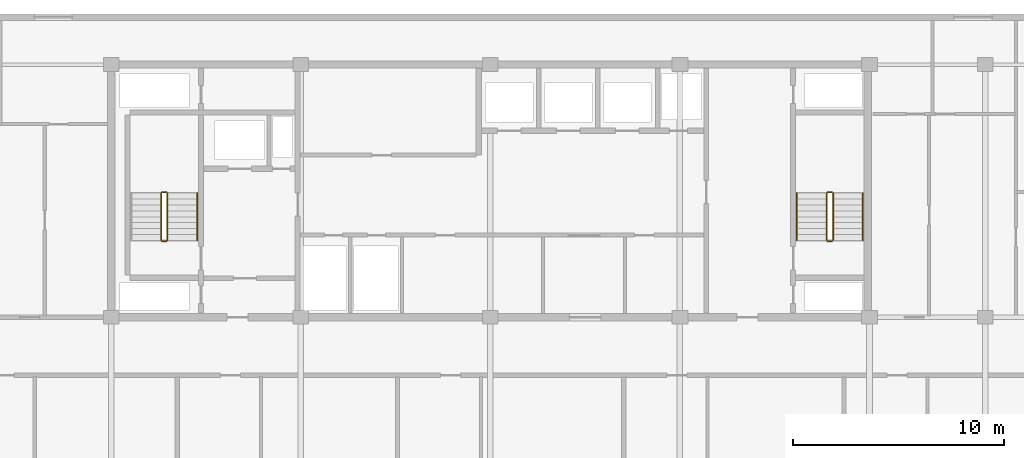
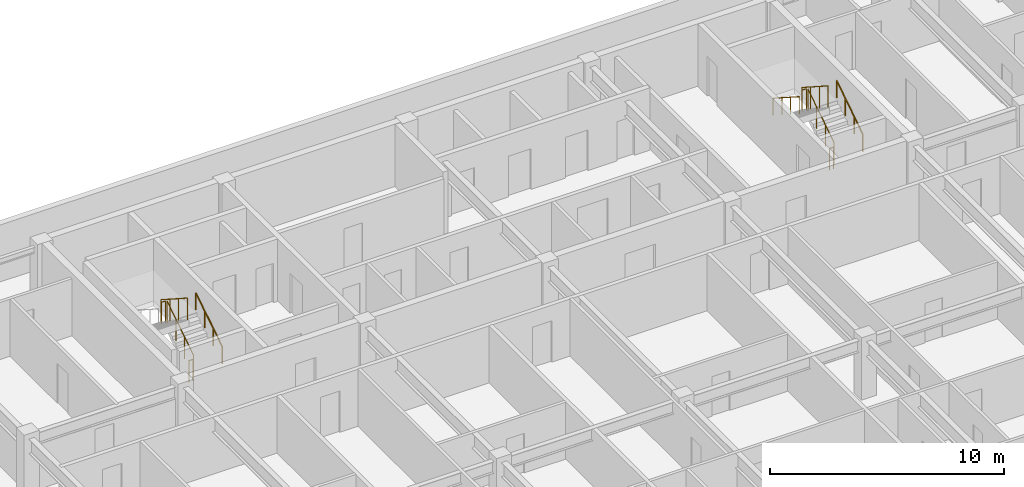
# One storey, part 18 of 21: 11 railings.
"""IFC4 building model written with IfcOpenShell, lengths in metres."""

from ifc_helpers import new_model, si_unit, direction, frame, origin, origin_2d, place, context, subcontext, project, spatial, circle, extrude, material, type_object, element, save


model = new_model("IFC4")

# Units and contexts
model_context = context("Model", 3, precision=1e-05, world=origin(), true_north=direction((0.0, 1.0)))
body_context = subcontext(model_context, "Body", "Model", "MODEL_VIEW")
ifc_project = project(units=[si_unit("LENGTHUNIT", "METRE"), si_unit("AREAUNIT", "SQUARE_METRE"), si_unit("VOLUMEUNIT", "CUBIC_METRE"), si_unit("PLANEANGLEUNIT", "RADIAN"), si_unit("MASSUNIT", "GRAM", prefix="KILO")], contexts=[model_context])

# Site, building, storey
site_placement = place(None, origin())
site = spatial("IfcSite", under=ifc_project, at=site_placement, CompositionType="ELEMENT")
building_placement = place(site_placement, origin())
building = spatial("IfcBuilding", under=site, at=building_placement, Name="Korimba Cascade Residences", CompositionType="ELEMENT")
storey_placement = place(building_placement, frame((0.0, 0.0, 175.10009765625)))
storey = spatial("IfcBuildingStorey", under=building, at=storey_placement, Name="L50", CompositionType="ELEMENT", Elevation=175.10009765625)

# Railings
ifc_material_1 = material(Name="Painted Steel Stairwell Guardrail", Category="steel")
railing_type_1 = type_object("IfcRailingType", Name="RLG-ST-GD1150", PredefinedType="GUARDRAIL", material=ifc_material_1)
railing_1_placement = place(storey_placement, frame((84.77001953125, 22.050048828125, 0.180419921875)))
element("IfcRailing", 1, at=railing_1_placement, inside=storey, type_object=railing_type_1, Name="L50 ST-E1 stair guard 1", PredefinedType="GUARDRAIL", context=body_context, shape_type="SweptSolid", body=[
    extrude(circle(Radius=0.02392578125, at=origin_2d()), frame((0.0, 0.0, 1.1259765625), z_axis=(0.0, 0.840394893359, 0.541974559565), x_axis=(-1.0, 0.0, 0.0)), (0.0, 0.0, 1.0), 2.665283203125),
    extrude(circle(Radius=0.02099609375, at=origin_2d()), origin(), (0.0, 0.0, 1.0), 1.101806640625),
    extrude(circle(Radius=0.02099609375, at=origin_2d()), frame((0.0, 0.74658203125, 0.4814453125)), (0.0, 0.0, 1.0), 1.101806640625),
    extrude(circle(Radius=0.02099609375, at=origin_2d()), frame((0.0, 1.493408203125, 0.963134765625)), (0.0, 0.0, 1.0), 1.101806640625),
    extrude(circle(Radius=0.02099609375, at=origin_2d()), frame((0.0, 2.239990234375, 1.444580078125)), (0.0, 0.0, 1.0), 1.101806640625),
])
railing_2_placement = place(storey_placement, frame((84.719970703125, 24.340087890625, 1.625)))
element("IfcRailing", 2, at=railing_2_placement, inside=storey, type_object=railing_type_1, Name="L50 ST-E1 stair guard 2", PredefinedType="GUARDRAIL", context=body_context, shape_type="SweptSolid", body=[
    extrude(circle(Radius=0.02392578125, at=origin_2d()), frame((0.0, 0.0, 1.1259765625), z_axis=(-1.0, 0.0, 0.0), x_axis=(0.0, -1.0, 0.0)), (0.0, 0.0, 1.0), 0.199951171875),
    extrude(circle(Radius=0.02099609375, at=origin_2d()), origin(), (0.0, 0.0, 1.0), 1.101806640625),
    extrude(circle(Radius=0.02099609375, at=origin_2d()), frame((-0.199951171875, 0.0, 0.0)), (0.0, 0.0, 1.0), 1.101806640625),
])
railing_3_placement = place(storey_placement, frame((84.469970703125, 24.2900390625, 1.805419921875)))
element("IfcRailing", 3, at=railing_3_placement, inside=storey, type_object=railing_type_1, Name="L50 ST-E1 stair guard 3", PredefinedType="GUARDRAIL", context=body_context, shape_type="SweptSolid", body=[
    extrude(circle(Radius=0.02392578125, at=origin_2d()), frame((0.0, 0.0, 1.1259765625), z_axis=(0.0, -0.840394893359, 0.541974559565), x_axis=(1.0, 0.0, 0.0)), (0.0, 0.0, 1.0), 2.665283203125),
    extrude(circle(Radius=0.02099609375, at=origin_2d()), origin(), (0.0, 0.0, 1.0), 1.101806640625),
    extrude(circle(Radius=0.02099609375, at=origin_2d()), frame((0.0, -0.74658203125, 0.4814453125)), (0.0, 0.0, 1.0), 1.101806640625),
    extrude(circle(Radius=0.02099609375, at=origin_2d()), frame((0.0, -1.493408203125, 0.963134765625)), (0.0, 0.0, 1.0), 1.101806640625),
    extrude(circle(Radius=0.02099609375, at=origin_2d()), frame((0.0, -2.239990234375, 1.444580078125)), (0.0, 0.0, 1.0), 1.101806640625),
])
railing_4_placement = place(storey_placement, frame((84.719970703125, 22.0, 0.0)))
element("IfcRailing", 4, at=railing_4_placement, inside=storey, type_object=railing_type_1, Name="L50 ST-E1 stair guard 4", PredefinedType="GUARDRAIL", context=body_context, shape_type="SweptSolid", body=[
    extrude(circle(Radius=0.02392578125, at=origin_2d()), frame((0.0, 0.0, 1.1259765625), z_axis=(-1.0, 0.0, 0.0), x_axis=(0.0, -1.0, 0.0)), (0.0, 0.0, 1.0), 0.199951171875),
    extrude(circle(Radius=0.02099609375, at=origin_2d()), origin(), (0.0, 0.0, 1.0), 1.101806640625),
    extrude(circle(Radius=0.02099609375, at=origin_2d()), frame((-0.199951171875, 0.0, 0.0)), (0.0, 0.0, 1.0), 1.101806640625),
])
railing_5_placement = place(storey_placement, frame((116.3701171875, 22.050048828125, 0.180419921875)))
element("IfcRailing", 5, at=railing_5_placement, inside=storey, type_object=railing_type_1, Name="L50 ST-E2 stair guard 1", PredefinedType="GUARDRAIL", context=body_context, shape_type="SweptSolid", body=[
    extrude(circle(Radius=0.02392578125, at=origin_2d()), frame((0.0, 0.0, 1.1259765625), z_axis=(0.0, 0.840394893359, 0.541974559565), x_axis=(-1.0, 0.0, 0.0)), (0.0, 0.0, 1.0), 2.665283203125),
    extrude(circle(Radius=0.02099609375, at=origin_2d()), origin(), (0.0, 0.0, 1.0), 1.101806640625),
    extrude(circle(Radius=0.02099609375, at=origin_2d()), frame((0.0, 0.74658203125, 0.4814453125)), (0.0, 0.0, 1.0), 1.101806640625),
    extrude(circle(Radius=0.02099609375, at=origin_2d()), frame((0.0, 1.493408203125, 0.963134765625)), (0.0, 0.0, 1.0), 1.101806640625),
    extrude(circle(Radius=0.02099609375, at=origin_2d()), frame((0.0, 2.239990234375, 1.444580078125)), (0.0, 0.0, 1.0), 1.101806640625),
])
railing_6_placement = place(storey_placement, frame((116.320068359375, 24.340087890625, 1.625)))
element("IfcRailing", 6, at=railing_6_placement, inside=storey, type_object=railing_type_1, Name="L50 ST-E2 stair guard 2", PredefinedType="GUARDRAIL", context=body_context, shape_type="SweptSolid", body=[
    extrude(circle(Radius=0.02392578125, at=origin_2d()), frame((0.0, 0.0, 1.1259765625), z_axis=(-1.0, 0.0, 0.0), x_axis=(0.0, -1.0, 0.0)), (0.0, 0.0, 1.0), 0.199951171875),
    extrude(circle(Radius=0.02099609375, at=origin_2d()), origin(), (0.0, 0.0, 1.0), 1.101806640625),
    extrude(circle(Radius=0.02099609375, at=origin_2d()), frame((-0.199951171875, 0.0, 0.0)), (0.0, 0.0, 1.0), 1.101806640625),
])
railing_7_placement = place(storey_placement, frame((116.070068359375, 24.2900390625, 1.805419921875)))
element("IfcRailing", 7, at=railing_7_placement, inside=storey, type_object=railing_type_1, Name="L50 ST-E2 stair guard 3", PredefinedType="GUARDRAIL", context=body_context, shape_type="SweptSolid", body=[
    extrude(circle(Radius=0.02392578125, at=origin_2d()), frame((0.0, 0.0, 1.1259765625), z_axis=(0.0, -0.840394893359, 0.541974559565), x_axis=(1.0, 0.0, 0.0)), (0.0, 0.0, 1.0), 2.665283203125),
    extrude(circle(Radius=0.02099609375, at=origin_2d()), origin(), (0.0, 0.0, 1.0), 1.101806640625),
    extrude(circle(Radius=0.02099609375, at=origin_2d()), frame((0.0, -0.74658203125, 0.4814453125)), (0.0, 0.0, 1.0), 1.101806640625),
    extrude(circle(Radius=0.02099609375, at=origin_2d()), frame((0.0, -1.493408203125, 0.963134765625)), (0.0, 0.0, 1.0), 1.101806640625),
    extrude(circle(Radius=0.02099609375, at=origin_2d()), frame((0.0, -2.239990234375, 1.444580078125)), (0.0, 0.0, 1.0), 1.101806640625),
])
railing_8_placement = place(storey_placement, frame((116.320068359375, 22.0, 0.0)))
element("IfcRailing", 8, at=railing_8_placement, inside=storey, type_object=railing_type_1, Name="L50 ST-E2 stair guard 4", PredefinedType="GUARDRAIL", context=body_context, shape_type="SweptSolid", body=[
    extrude(circle(Radius=0.02392578125, at=origin_2d()), frame((0.0, 0.0, 1.1259765625), z_axis=(-1.0, 0.0, 0.0), x_axis=(0.0, -1.0, 0.0)), (0.0, 0.0, 1.0), 0.199951171875),
    extrude(circle(Radius=0.02099609375, at=origin_2d()), origin(), (0.0, 0.0, 1.0), 1.101806640625),
    extrude(circle(Radius=0.02099609375, at=origin_2d()), frame((-0.199951171875, 0.0, 0.0)), (0.0, 0.0, 1.0), 1.101806640625),
])
ifc_material_2 = material(Name="Brushed Stainless Steel Handrail", Category="steel")
railing_type_2 = type_object("IfcRailingType", Name="RLG-ST-HR900", PredefinedType="HANDRAIL", material=ifc_material_2)
for number, where, name in (
    (9, (86.18994140625, 22.050048828125, 0.36474609375), "L50 ST-E1 stair handrail 1"),
    (10, (117.7900390625, 22.050048828125, 0.36474609375), "L50 ST-E2 stair handrail 1"),
):
    element("IfcRailing", number, at=place(storey_placement, frame(where)), inside=storey, type_object=railing_type_2, Name=name, PredefinedType="HANDRAIL", context=body_context, shape_type="SweptSolid", body=[
        extrude(circle(Radius=0.02392578125, at=origin_2d()), frame((0.0, 0.0, 0.8759765625), z_axis=(0.0, 0.840394893359, 0.541974559565), x_axis=(-1.0, 0.0, 0.0)), (0.0, 0.0, 1.0), 2.665283203125),
        extrude(circle(Radius=0.02099609375, at=origin_2d()), origin(), (0.0, 0.0, 1.0), 0.851806640625),
        extrude(circle(Radius=0.02099609375, at=origin_2d()), frame((0.0, 0.74658203125, 0.4814453125)), (0.0, 0.0, 1.0), 0.851806640625),
        extrude(circle(Radius=0.02099609375, at=origin_2d()), frame((0.0, 1.493408203125, 0.963134765625)), (0.0, 0.0, 1.0), 0.851806640625),
        extrude(circle(Radius=0.02099609375, at=origin_2d()), frame((0.0, 2.239990234375, 1.444580078125)), (0.0, 0.0, 1.0), 0.851806640625),
    ])
railing_9_placement = place(storey_placement, frame((114.64990234375, 24.2900390625, 1.98974609375)))
element("IfcRailing", 11, at=railing_9_placement, inside=storey, type_object=railing_type_2, Name="L50 ST-E2 stair handrail 2", PredefinedType="HANDRAIL", context=body_context, shape_type="SweptSolid", body=[
    extrude(circle(Radius=0.02392578125, at=origin_2d()), frame((0.0, 0.0, 0.8759765625), z_axis=(0.0, -0.840394893359, 0.541974559565), x_axis=(1.0, 0.0, 0.0)), (0.0, 0.0, 1.0), 2.665283203125),
    extrude(circle(Radius=0.02099609375, at=origin_2d()), origin(), (0.0, 0.0, 1.0), 0.851806640625),
    extrude(circle(Radius=0.02099609375, at=origin_2d()), frame((0.0, -0.74658203125, 0.4814453125)), (0.0, 0.0, 1.0), 0.851806640625),
    extrude(circle(Radius=0.02099609375, at=origin_2d()), frame((0.0, -1.493408203125, 0.963134765625)), (0.0, 0.0, 1.0), 0.851806640625),
    extrude(circle(Radius=0.02099609375, at=origin_2d()), frame((0.0, -2.239990234375, 1.444580078125)), (0.0, 0.0, 1.0), 0.851806640625),
])

save(model, "model.ifc")
